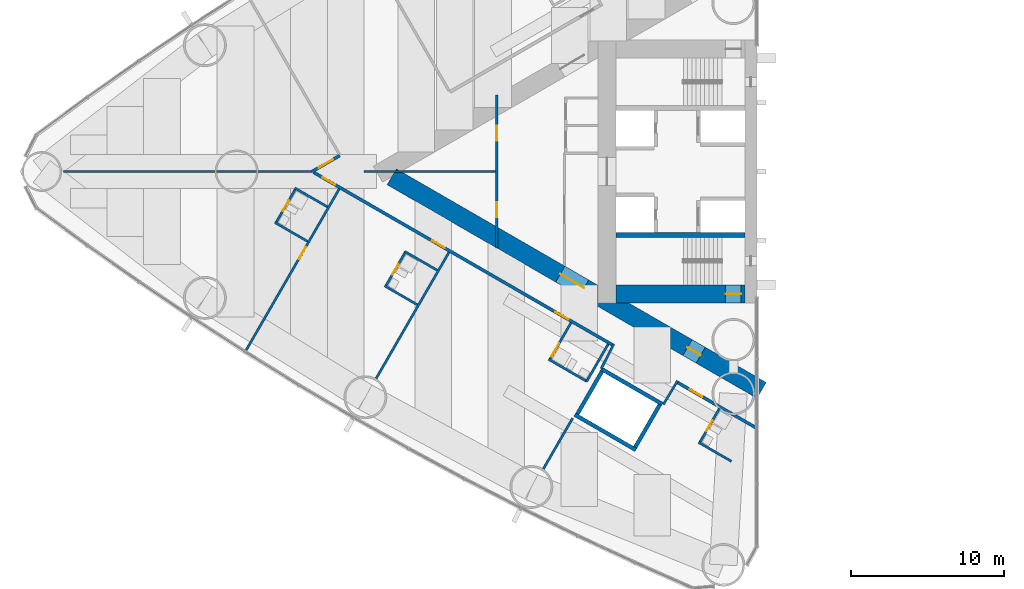
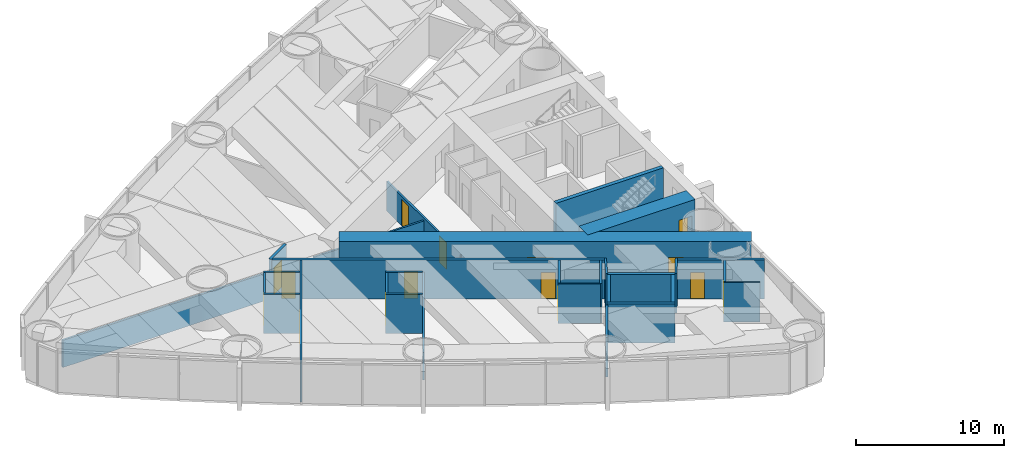
# One storey, part 11 of 19: 29 walls, 15 doors, 15 openings.
"""IFC4 building model written with IfcOpenShell, lengths in metres."""

from ifc_helpers import new_model, si_unit, direction, frame, frame_2d, origin, place, context, subcontext, project, spatial, rectangle, extrude, material, layer, layer_set, type_object, element, fill, save


model = new_model("IFC4")

# Units and contexts
model_context = context("Model", 3, precision=1e-05, world=origin(), true_north=direction((0.0, 1.0)))
body_context = subcontext(model_context, "Body", "Model", "MODEL_VIEW")
ifc_project = project(units=[si_unit("LENGTHUNIT", "METRE"), si_unit("AREAUNIT", "SQUARE_METRE"), si_unit("VOLUMEUNIT", "CUBIC_METRE"), si_unit("PLANEANGLEUNIT", "RADIAN"), si_unit("MASSUNIT", "GRAM", prefix="KILO")], contexts=[model_context])

# Site, building, storey
site_placement = place(None, origin())
site = spatial("IfcSite", under=ifc_project, at=site_placement, CompositionType="ELEMENT")
building_placement = place(site_placement, origin())
building = spatial("IfcBuilding", under=site, at=building_placement, Name="Lancet Gate Hotel", CompositionType="ELEMENT")
storey_placement = place(building_placement, frame((0.0, 0.0, 70.5)))
storey = spatial("IfcBuildingStorey", under=building, at=storey_placement, Name="L18", CompositionType="ELEMENT", Elevation=70.5)

# Wall
ifc_material_1 = material(Name="Moisture resistant board partition")
ifc_layer_1 = layer(ifc_material_1, 0.14990234375)
ifc_layer_set_1 = layer_set([ifc_layer_1], Name="Bathroom wall 150")
wall_type_1 = type_object("IfcWallType", Name="Bathroom wall 150", PredefinedType="PARTITIONING", material=ifc_layer_set_1)
wall_1_placement = place(storey_placement, frame((-56.861083984375, -4.565185546875, 0.0), z_axis=(0.0, 0.0, 1.0), x_axis=(-0.86604923931, 0.499958713387, 0.0)))
element("IfcWall", 1, at=wall_1_placement, inside=storey, type_object=wall_type_1, Name="T1 bathroom wall 150 L18", PredefinedType="PARTITIONING", context=body_context, shape_type="SweptSolid", body=[
    extrude(rectangle(XDim=2.474853515625, YDim=0.14990234375, at=frame_2d((1.2373046875, 0.0))), origin(), (0.0, 0.0, 1.0), 3.25),
])

# Wall, opening, door
wall_2_placement = place(storey_placement, frame((-57.639404296875, -1.113525390625, 0.0), z_axis=(0.0, 0.0, 1.0), x_axis=(-0.500006934395, -0.866021400173, 0.0)))
wall_2 = element("IfcWall", 2, at=wall_2_placement, inside=storey, type_object=wall_type_1, Name="T1 bathroom wall 150 L18", PredefinedType="PARTITIONING", context=body_context, shape_type="SweptSolid", body=[
    extrude(rectangle(XDim=2.60009765625, YDim=0.14990234375, at=frame_2d((1.300048828125, 0.0))), origin(), (0.0, 0.0, 1.0), 3.25),
])
opening_1_placement = place(wall_2_placement, frame((0.89990234375, 0.0, 0.0)))
opening_1 = element("IfcOpeningElement", 3, at=opening_1_placement, cuts=wall_2, Name="Opening 1805-B", PredefinedType="OPENING", context=body_context, shape_type="SweptSolid", body=[
    extrude(rectangle(XDim=0.800048828125, YDim=2.199951171875, at=frame_2d((0.39990234375, 1.10009765625))), frame((0.0, 0.0849609375, 0.0), z_axis=(0.0, -1.0, 0.0), x_axis=(1.0, 0.0, 0.0)), (0.0, 0.0, 1.0), 0.169921875),
])
ifc_material_2 = material(Name="Timber door set", Category="wood")
door_type_1 = type_object("IfcDoorType", Name="Bathroom door 800", OperationType="SINGLE_SWING_RIGHT", PredefinedType="DOOR", material=ifc_material_2)
door_1_placement = place(opening_1_placement, origin())
door_1 = element("IfcDoor", 4, at=door_1_placement, inside=storey, type_object=door_type_1, Name="1805-B", OperationType="SINGLE_SWING_RIGHT", OverallHeight=2.199951171875, OverallWidth=0.800048828125, PredefinedType="DOOR", context=body_context, shape_type="SweptSolid", body=[
    extrude(rectangle(XDim=0.800048828125, YDim=2.199951171875, at=frame_2d((0.39990234375, 1.10009765625))), frame((0.0, 0.02490234375, 0.0), z_axis=(0.0, -1.0, 0.0), x_axis=(1.0, 0.0, 0.0)), (0.0, 0.0, 1.0), 0.050048828125),
])
fill(opening_1, door_1)

# Walls
wall_3_placement = place(storey_placement, frame((-55.56103515625, -2.3134765625, 0.0), z_axis=(0.0, 0.0, 1.0), x_axis=(-0.86604923931, 0.499958713387, 0.0)))
element("IfcWall", 5, at=wall_3_placement, inside=storey, type_object=wall_type_1, Name="T1 bathroom wall 150 L18", PredefinedType="PARTITIONING", context=body_context, shape_type="SweptSolid", body=[
    extrude(rectangle(XDim=2.474853515625, YDim=0.14990234375, at=frame_2d((1.2373046875, 0.0))), origin(), (0.0, 0.0, 1.0), 3.25),
])
wall_4_placement = place(storey_placement, frame((-49.691650390625, -8.704345703125, 0.0), z_axis=(0.0, 0.0, 1.0), x_axis=(-0.866073894602, 0.499916002032, 0.0)))
element("IfcWall", 6, at=wall_4_placement, inside=storey, type_object=wall_type_1, Name="T1 bathroom wall 150 L18", PredefinedType="PARTITIONING", context=body_context, shape_type="SweptSolid", body=[
    extrude(rectangle(XDim=2.47509765625, YDim=0.14990234375, at=frame_2d((1.237548828125, 0.0))), origin(), (0.0, 0.0, 1.0), 3.25),
])

# Wall, opening, door
wall_5_placement = place(storey_placement, frame((-50.47021484375, -5.252685546875, 0.0), z_axis=(0.0, 0.0, 1.0), x_axis=(-0.500006934395, -0.866021400173, 0.0)))
wall_5 = element("IfcWall", 7, at=wall_5_placement, inside=storey, type_object=wall_type_1, Name="T1 bathroom wall 150 L18", PredefinedType="PARTITIONING", context=body_context, shape_type="SweptSolid", body=[
    extrude(rectangle(XDim=2.60009765625, YDim=0.14990234375, at=frame_2d((1.300048828125, 0.0))), origin(), (0.0, 0.0, 1.0), 3.25),
])
opening_2_placement = place(wall_5_placement, frame((0.89990234375, 0.0, 0.0)))
opening_2 = element("IfcOpeningElement", 8, at=opening_2_placement, cuts=wall_5, Name="Opening 1806-B", PredefinedType="OPENING", context=body_context, shape_type="SweptSolid", body=[
    extrude(rectangle(XDim=0.800048828125, YDim=2.199951171875, at=frame_2d((0.39990234375, 1.10009765625))), frame((0.0, 0.0849609375, 0.0), z_axis=(0.0, -1.0, 0.0), x_axis=(1.0, 0.0, 0.0)), (0.0, 0.0, 1.0), 0.169921875),
])
door_2_placement = place(opening_2_placement, origin())
door_2 = element("IfcDoor", 9, at=door_2_placement, inside=storey, type_object=door_type_1, Name="1806-B", OperationType="SINGLE_SWING_RIGHT", OverallHeight=2.199951171875, OverallWidth=0.800048828125, PredefinedType="DOOR", context=body_context, shape_type="SweptSolid", body=[
    extrude(rectangle(XDim=0.800048828125, YDim=2.199951171875, at=frame_2d((0.39990234375, 1.10009765625))), frame((0.0, 0.02490234375, 0.0), z_axis=(0.0, -1.0, 0.0), x_axis=(1.0, 0.0, 0.0)), (0.0, 0.0, 1.0), 0.050048828125),
])
fill(opening_2, door_2)

# Walls
wall_6_placement = place(storey_placement, frame((-48.391845703125, -6.45263671875, 0.0), z_axis=(0.0, 0.0, 1.0), x_axis=(-0.86604923931, 0.499958713387, 0.0)))
element("IfcWall", 10, at=wall_6_placement, inside=storey, type_object=wall_type_1, Name="T1 bathroom wall 150 L18", PredefinedType="PARTITIONING", context=body_context, shape_type="SweptSolid", body=[
    extrude(rectangle(XDim=2.474853515625, YDim=0.14990234375, at=frame_2d((1.2373046875, 0.0))), origin(), (0.0, 0.0, 1.0), 3.25),
])
wall_7_placement = place(storey_placement, frame((-38.630126953125, -13.705322265625, 0.0), z_axis=(0.0, 0.0, 1.0), x_axis=(-0.866018712932, 0.500011588718, 0.0)))
element("IfcWall", 11, at=wall_7_placement, inside=storey, type_object=wall_type_1, Name="T1 bathroom wall 150 L18", PredefinedType="PARTITIONING", context=body_context, shape_type="SweptSolid", body=[
    extrude(rectangle(XDim=2.875, YDim=0.14990234375, at=frame_2d((1.4375, 0.0))), origin(), (0.0, 0.0, 1.0), 3.25),
])

# Wall, opening, door
wall_8_placement = place(storey_placement, frame((-39.65478515625, -9.88037109375, 0.0), z_axis=(0.0, 0.0, 1.0), x_axis=(-0.500049511043, -0.865996816683, 0.0)))
wall_8 = element("IfcWall", 12, at=wall_8_placement, inside=storey, type_object=wall_type_1, Name="T1 bathroom wall 150 L18", PredefinedType="PARTITIONING", context=body_context, shape_type="SweptSolid", body=[
    extrude(rectangle(XDim=2.800048828125, YDim=0.14990234375, at=frame_2d((1.39990234375, 0.0))), origin(), (0.0, 0.0, 1.0), 3.25),
])
opening_3_placement = place(wall_8_placement, frame((1.550048828125, 0.0, 0.0)))
opening_3 = element("IfcOpeningElement", 13, at=opening_3_placement, cuts=wall_8, Name="Opening 1807-B", PredefinedType="OPENING", context=body_context, shape_type="SweptSolid", body=[
    extrude(rectangle(XDim=1.0, YDim=2.199951171875, at=frame_2d((0.5, 1.10009765625))), frame((0.0, 0.0849609375, 0.0), z_axis=(0.0, -1.0, 0.0), x_axis=(1.0, 0.0, 0.0)), (0.0, 0.0, 1.0), 0.169921875),
])
ifc_material_3 = material(Name="Timber door set", Category="wood")
door_type_2 = type_object("IfcDoorType", Name="Accessible en-suite door 1000", OperationType="SINGLE_SWING_RIGHT", PredefinedType="DOOR", material=ifc_material_3)
door_3_placement = place(opening_3_placement, origin())
door_3 = element("IfcDoor", 14, at=door_3_placement, inside=storey, type_object=door_type_2, Name="1807-B", OperationType="SINGLE_SWING_RIGHT", OverallHeight=2.199951171875, OverallWidth=1.0, PredefinedType="DOOR", context=body_context, shape_type="SweptSolid", body=[
    extrude(rectangle(XDim=1.0, YDim=2.199951171875, at=frame_2d((0.5, 1.10009765625))), frame((0.0, 0.02490234375, 0.0), z_axis=(0.0, -1.0, 0.0), x_axis=(1.0, 0.0, 0.0)), (0.0, 0.0, 1.0), 0.050048828125),
])
fill(opening_3, door_3)

# Walls
wall_9_placement = place(storey_placement, frame((-37.22998046875, -11.280517578125, 0.0), z_axis=(0.0, 0.0, 1.0), x_axis=(-0.500049511043, -0.865996816683, 0.0)))
element("IfcWall", 15, at=wall_9_placement, inside=storey, type_object=wall_type_1, Name="T1 bathroom wall 150 L18", PredefinedType="PARTITIONING", context=body_context, shape_type="SweptSolid", body=[
    extrude(rectangle(XDim=2.800048828125, YDim=0.14990234375, at=frame_2d((1.39990234375, 0.0))), origin(), (0.0, 0.0, 1.0), 3.25),
])
wall_10_placement = place(storey_placement, frame((-29.181884765625, -18.92919921875, 0.0), z_axis=(0.0, 0.0, 1.0), x_axis=(-0.866006523861, 0.500032699561, 0.0)))
element("IfcWall", 16, at=wall_10_placement, inside=storey, type_object=wall_type_1, Name="T1 bathroom wall 150 L18", PredefinedType="PARTITIONING", context=body_context, shape_type="SweptSolid", body=[
    extrude(rectangle(XDim=2.474853515625, YDim=0.14990234375, at=frame_2d((1.2373046875, 0.0))), origin(), (0.0, 0.0, 1.0), 3.25),
])

# Wall, opening, door
wall_11_placement = place(storey_placement, frame((-29.960205078125, -15.4775390625, 0.0), z_axis=(0.0, 0.0, 1.0), x_axis=(-0.500006934395, -0.866021400173, 0.0)))
wall_11 = element("IfcWall", 17, at=wall_11_placement, inside=storey, type_object=wall_type_1, Name="T1 bathroom wall 150 L18", PredefinedType="PARTITIONING", context=body_context, shape_type="SweptSolid", body=[
    extrude(rectangle(XDim=2.60009765625, YDim=0.14990234375, at=frame_2d((1.300048828125, 0.0))), origin(), (0.0, 0.0, 1.0), 3.25),
])
opening_4_placement = place(wall_11_placement, frame((0.89990234375, 0.0, 0.0)))
opening_4 = element("IfcOpeningElement", 18, at=opening_4_placement, cuts=wall_11, Name="Opening 1808-B", PredefinedType="OPENING", context=body_context, shape_type="SweptSolid", body=[
    extrude(rectangle(XDim=0.800048828125, YDim=2.199951171875, at=frame_2d((0.39990234375, 1.10009765625))), frame((0.0, 0.0849609375, 0.0), z_axis=(0.0, -1.0, 0.0), x_axis=(1.0, 0.0, 0.0)), (0.0, 0.0, 1.0), 0.169921875),
])
door_4_placement = place(opening_4_placement, origin())
door_4 = element("IfcDoor", 19, at=door_4_placement, inside=storey, type_object=door_type_1, Name="1808-B", OperationType="SINGLE_SWING_RIGHT", OverallHeight=2.199951171875, OverallWidth=0.800048828125, PredefinedType="DOOR", context=body_context, shape_type="SweptSolid", body=[
    extrude(rectangle(XDim=0.800048828125, YDim=2.199951171875, at=frame_2d((0.39990234375, 1.10009765625))), frame((0.0, 0.02490234375, 0.0), z_axis=(0.0, -1.0, 0.0), x_axis=(1.0, 0.0, 0.0)), (0.0, 0.0, 1.0), 0.050048828125),
])
fill(opening_4, door_4)

# Wall, openings, doors
ifc_material_4 = material(Name="Concrete C70/85", Category="concrete")
ifc_layer_2 = layer(ifc_material_4, 1.199951171875)
ifc_layer_set_2 = layer_set([ifc_layer_2], Name="Buttress wall 1200")
wall_type_2 = type_object("IfcWallType", Name="Buttress wall 1200", PredefinedType="SHEAR", material=ifc_layer_set_2)
wall_12_placement = place(storey_placement, frame((-27.199951171875, -14.300048828125, 0.0), z_axis=(0.0, 0.0, 1.0), x_axis=(-0.866024021859, 0.500002393557, 0.0)))
wall_12 = element("IfcWall", 20, at=wall_12_placement, inside=storey, type_object=wall_type_2, Name="T1 buttress wall N L18", PredefinedType="SHEAR", context=body_context, shape_type="SweptSolid", body=[
    extrude(rectangle(XDim=27.906982421875, YDim=1.199951171875, at=frame_2d((13.95361328125, 0.0))), origin(), (0.0, 0.0, 1.0), 3.5),
])
opening_5_placement = place(wall_12_placement, frame((4.60009765625, 0.0, 0.0)))
opening_5 = element("IfcOpeningElement", 21, at=opening_5_placement, cuts=wall_12, Name="Opening T1-L18-LN", PredefinedType="OPENING", context=body_context, shape_type="SweptSolid", body=[
    extrude(rectangle(XDim=1.0, YDim=2.199951171875, at=frame_2d((0.5, 1.10009765625))), frame((0.0, 0.60986328125, 0.0), z_axis=(0.0, -1.0, 0.0), x_axis=(1.0, 0.0, 0.0)), (0.0, 0.0, 1.0), 1.219970703125),
])
opening_6_placement = place(wall_12_placement, frame((13.39453125, 0.0, 0.0)))
opening_6 = element("IfcOpeningElement", 22, at=opening_6_placement, cuts=wall_12, Name="Opening T1-L18-LHN", PredefinedType="OPENING", context=body_context, shape_type="SweptSolid", body=[
    extrude(rectangle(XDim=1.800048828125, YDim=2.199951171875, at=frame_2d((0.89990234375, 1.10009765625))), frame((0.0, 0.60986328125, 0.0), z_axis=(0.0, -1.0, 0.0), x_axis=(1.0, 0.0, 0.0)), (0.0, 0.0, 1.0), 1.219970703125),
])
ifc_material_5 = material(Name="Timber door set", Category="wood")
door_type_3 = type_object("IfcDoorType", Name="Lobby double door 1800", OperationType="DOUBLE_DOOR_SINGLE_SWING", PredefinedType="DOOR", material=ifc_material_5)
door_5_placement = place(opening_6_placement, origin())
door_5 = element("IfcDoor", 23, at=door_5_placement, inside=storey, type_object=door_type_3, Name="T1-L18-LHN", OperationType="DOUBLE_DOOR_SINGLE_SWING", OverallHeight=2.199951171875, OverallWidth=1.800048828125, PredefinedType="DOOR", context=body_context, shape_type="SweptSolid", body=[
    extrude(rectangle(XDim=1.800048828125, YDim=2.199951171875, at=frame_2d((0.89990234375, 1.10009765625))), frame((0.0, 0.02490234375, 0.0), z_axis=(0.0, -1.0, 0.0), x_axis=(1.0, 0.0, 0.0)), (0.0, 0.0, 1.0), 0.050048828125),
])
fill(opening_6, door_5)
ifc_material_6 = material(Name="Timber door set", Category="wood")
door_type_4 = type_object("IfcDoorType", Name="Stair lobby door 1000", OperationType="SINGLE_SWING_LEFT", PredefinedType="DOOR", material=ifc_material_6)
door_6_placement = place(opening_5_placement, origin())
door_6 = element("IfcDoor", 24, at=door_6_placement, inside=storey, type_object=door_type_4, Name="T1-L18-LN", OperationType="SINGLE_SWING_LEFT", OverallHeight=2.199951171875, OverallWidth=1.0, PredefinedType="DOOR", context=body_context, shape_type="SweptSolid", body=[
    extrude(rectangle(XDim=1.0, YDim=2.199951171875, at=frame_2d((0.5, 1.10009765625))), frame((0.0, 0.02490234375, 0.0), z_axis=(0.0, -1.0, 0.0), x_axis=(1.0, 0.0, 0.0)), (0.0, 0.0, 1.0), 0.050048828125),
])
fill(opening_5, door_6)

# Wall, opening, door
ifc_material_7 = material(Name="Concrete C70/85", Category="concrete")
ifc_layer_3 = layer(ifc_material_7, 1.199951171875)
ifc_layer_set_3 = layer_set([ifc_layer_3], Name="Core wall 1200")
wall_type_3 = type_object("IfcWallType", Name="Core wall 1200", PredefinedType="SHEAR", material=ifc_layer_set_3)
wall_13_placement = place(storey_placement, frame((-28.300048828125, -8.0, 0.0), z_axis=(0.0, 0.0, 1.0), x_axis=(-1.0, 0.0, 0.0)))
wall_13 = element("IfcWall", 25, at=wall_13_placement, inside=storey, type_object=wall_type_3, Name="T1 core wall side-N L18", PredefinedType="SHEAR", context=body_context, shape_type="SweptSolid", body=[
    extrude(rectangle(XDim=8.39990234375, YDim=1.199951171875, at=frame_2d((4.199951171875, 0.0))), origin(), (0.0, 0.0, 1.0), 3.5),
])
opening_7_placement = place(wall_13_placement, frame((0.25, 0.0, 0.0)))
opening_7 = element("IfcOpeningElement", 26, at=opening_7_placement, cuts=wall_13, Name="Opening T1-L18-ST2", PredefinedType="OPENING", context=body_context, shape_type="SweptSolid", body=[
    extrude(rectangle(XDim=1.0, YDim=2.199951171875, at=frame_2d((0.5, 1.10009765625))), frame((0.0, 0.60986328125, 0.0), z_axis=(0.0, -1.0, 0.0), x_axis=(1.0, 0.0, 0.0)), (0.0, 0.0, 1.0), 1.219970703125),
])
ifc_material_8 = material(Name="Timber door set", Category="wood")
door_type_5 = type_object("IfcDoorType", Name="Stair door 1000", OperationType="SINGLE_SWING_RIGHT", PredefinedType="DOOR", material=ifc_material_8)
door_7_placement = place(opening_7_placement, origin())
door_7 = element("IfcDoor", 27, at=door_7_placement, inside=storey, type_object=door_type_5, Name="T1-L18-ST2", OperationType="SINGLE_SWING_RIGHT", OverallHeight=2.199951171875, OverallWidth=1.0, PredefinedType="DOOR", context=body_context, shape_type="SweptSolid", body=[
    extrude(rectangle(XDim=1.0, YDim=2.199951171875, at=frame_2d((0.5, 1.10009765625))), frame((0.0, 0.02490234375, 0.0), z_axis=(0.0, -1.0, 0.0), x_axis=(1.0, 0.0, 0.0)), (0.0, 0.0, 1.0), 0.050048828125),
])
fill(opening_7, door_7)

ifc_material_9 = material(Name="Gypsum board partition")
ifc_layer_4 = layer(ifc_material_9, 0.199951171875)
ifc_layer_set_4 = layer_set([ifc_layer_4], Name="Corridor wall 200")
wall_type_4 = type_object("IfcWallType", Name="Corridor wall 200", PredefinedType="PARTITIONING", material=ifc_layer_set_4)
wall_14_placement = place(storey_placement, frame((-27.572021484375, -16.740966796875, 0.0), z_axis=(0.0, 0.0, 1.0), x_axis=(-0.866024464444, 0.500001626982, 0.0)))
wall_14 = element("IfcWall", 28, at=wall_14_placement, inside=storey, type_object=wall_type_4, Name="T1 corridor wall 200 L18", PredefinedType="PARTITIONING", context=body_context, shape_type="SweptSolid", body=[
    extrude(rectangle(XDim=5.955078125, YDim=0.199951171875, at=frame_2d((2.9775390625, 0.0))), origin(), (0.0, 0.0, 1.0), 3.25),
])
opening_8_placement = place(wall_14_placement, frame((4.050048828125, 0.0, 0.0)))
opening_8 = element("IfcOpeningElement", 29, at=opening_8_placement, cuts=wall_14, Name="Opening 1808-E", PredefinedType="OPENING", context=body_context, shape_type="SweptSolid", body=[
    extrude(rectangle(XDim=0.949951171875, YDim=2.199951171875, at=frame_2d((0.47509765625, 1.10009765625))), frame((0.0, 0.10986328125, 0.0), z_axis=(0.0, -1.0, 0.0), x_axis=(1.0, 0.0, 0.0)), (0.0, 0.0, 1.0), 0.219970703125),
])
ifc_material_10 = material(Name="Timber door set", Category="wood")
door_type_6 = type_object("IfcDoorType", Name="Guest room entry door 950", OperationType="SINGLE_SWING_LEFT", PredefinedType="DOOR", material=ifc_material_10)
door_8_placement = place(opening_8_placement, origin())
door_8 = element("IfcDoor", 30, at=door_8_placement, inside=storey, type_object=door_type_6, Name="1808-E", OperationType="SINGLE_SWING_LEFT", OverallHeight=2.199951171875, OverallWidth=0.949951171875, PredefinedType="DOOR", context=body_context, shape_type="SweptSolid", body=[
    extrude(rectangle(XDim=0.949951171875, YDim=2.199951171875, at=frame_2d((0.47509765625, 1.10009765625))), frame((0.0, 0.02490234375, 0.0), z_axis=(0.0, -1.0, 0.0), x_axis=(1.0, 0.0, 0.0)), (0.0, 0.0, 1.0), 0.050048828125),
])
fill(opening_8, door_8)

# Wall, openings, doors
wall_15_placement = place(storey_placement, frame((-36.920166015625, -11.34375, 0.0), z_axis=(0.0, 0.0, 1.0), x_axis=(-0.866028313256, 0.499994960614, 0.0)))
wall_15 = element("IfcWall", 31, at=wall_15_placement, inside=storey, type_object=wall_type_4, Name="T1 corridor wall 200 L18", PredefinedType="PARTITIONING", context=body_context, shape_type="SweptSolid", body=[
    extrude(rectangle(XDim=22.567626953125, YDim=0.199951171875, at=frame_2d((11.28369140625, 0.0))), origin(), (0.0, 0.0, 1.0), 3.25),
])
opening_9_placement = place(wall_15_placement, frame((20.95849609375, 0.0, 0.0)))
opening_9 = element("IfcOpeningElement", 32, at=opening_9_placement, cuts=wall_15, Name="Opening 1805-E", PredefinedType="OPENING", context=body_context, shape_type="SweptSolid", body=[
    extrude(rectangle(XDim=0.949951171875, YDim=2.199951171875, at=frame_2d((0.47509765625, 1.10009765625))), frame((0.0, 0.10986328125, 0.0), z_axis=(0.0, -1.0, 0.0), x_axis=(1.0, 0.0, 0.0)), (0.0, 0.0, 1.0), 0.219970703125),
])
opening_10_placement = place(wall_15_placement, frame((12.68017578125, 0.0, 0.0)))
opening_10 = element("IfcOpeningElement", 33, at=opening_10_placement, cuts=wall_15, Name="Opening 1806-E", PredefinedType="OPENING", context=body_context, shape_type="SweptSolid", body=[
    extrude(rectangle(XDim=0.949951171875, YDim=2.199951171875, at=frame_2d((0.47509765625, 1.10009765625))), frame((0.0, 0.10986328125, 0.0), z_axis=(0.0, -1.0, 0.0), x_axis=(1.0, 0.0, 0.0)), (0.0, 0.0, 1.0), 0.219970703125),
])
opening_11_placement = place(wall_15_placement, frame((3.35009765625, 0.0, 0.0)))
opening_11 = element("IfcOpeningElement", 34, at=opening_11_placement, cuts=wall_15, Name="Opening 1807-E", PredefinedType="OPENING", context=body_context, shape_type="SweptSolid", body=[
    extrude(rectangle(XDim=1.0, YDim=2.199951171875, at=frame_2d((0.5, 1.10009765625))), frame((0.0, 0.10986328125, 0.0), z_axis=(0.0, -1.0, 0.0), x_axis=(1.0, 0.0, 0.0)), (0.0, 0.0, 1.0), 0.219970703125),
])
ifc_material_11 = material(Name="Timber door set", Category="wood")
door_type_7 = type_object("IfcDoorType", Name="Accessible guest room door 1000", OperationType="SINGLE_SWING_LEFT", PredefinedType="DOOR", material=ifc_material_11)
door_9_placement = place(opening_11_placement, origin())
door_9 = element("IfcDoor", 35, at=door_9_placement, inside=storey, type_object=door_type_7, Name="1807-E", OperationType="SINGLE_SWING_LEFT", OverallHeight=2.199951171875, OverallWidth=1.0, PredefinedType="DOOR", context=body_context, shape_type="SweptSolid", body=[
    extrude(rectangle(XDim=1.0, YDim=2.199951171875, at=frame_2d((0.5, 1.10009765625))), frame((0.0, 0.02490234375, 0.0), z_axis=(0.0, -1.0, 0.0), x_axis=(1.0, 0.0, 0.0)), (0.0, 0.0, 1.0), 0.050048828125),
])
fill(opening_11, door_9)
door_10_placement = place(opening_9_placement, origin())
door_10 = element("IfcDoor", 36, at=door_10_placement, inside=storey, type_object=door_type_6, Name="1805-E", OperationType="SINGLE_SWING_LEFT", OverallHeight=2.199951171875, OverallWidth=0.949951171875, PredefinedType="DOOR", context=body_context, shape_type="SweptSolid", body=[
    extrude(rectangle(XDim=0.949951171875, YDim=2.199951171875, at=frame_2d((0.47509765625, 1.10009765625))), frame((0.0, 0.02490234375, 0.0), z_axis=(0.0, -1.0, 0.0), x_axis=(1.0, 0.0, 0.0)), (0.0, 0.0, 1.0), 0.050048828125),
])
fill(opening_9, door_10)
door_11_placement = place(opening_10_placement, origin())
door_11 = element("IfcDoor", 37, at=door_11_placement, inside=storey, type_object=door_type_6, Name="1806-E", OperationType="SINGLE_SWING_LEFT", OverallHeight=2.199951171875, OverallWidth=0.949951171875, PredefinedType="DOOR", context=body_context, shape_type="SweptSolid", body=[
    extrude(rectangle(XDim=0.949951171875, YDim=2.199951171875, at=frame_2d((0.47509765625, 1.10009765625))), frame((0.0, 0.02490234375, 0.0), z_axis=(0.0, -1.0, 0.0), x_axis=(1.0, 0.0, 0.0)), (0.0, 0.0, 1.0), 0.050048828125),
])
fill(opening_10, door_11)

# Wall, opening, door
wall_16_placement = place(storey_placement, frame((-54.767578125, 1.03955078125, 0.0), z_axis=(0.0, 0.0, 1.0), x_axis=(-0.866052632827, -0.499952834948, 0.0)))
wall_16 = element("IfcWall", 38, at=wall_16_placement, inside=storey, type_object=wall_type_4, Name="T1 corridor wall 200 L18", PredefinedType="PARTITIONING", context=body_context, shape_type="SweptSolid", body=[
    extrude(rectangle(XDim=2.079345703125, YDim=0.199951171875, at=frame_2d((1.03955078125, 0.0))), origin(), (0.0, 0.0, 1.0), 3.25),
])
opening_12_placement = place(wall_16_placement, frame((0.5, 0.0, 0.0)))
opening_12 = element("IfcOpeningElement", 39, at=opening_12_placement, cuts=wall_16, Name="Opening 1804-E", PredefinedType="OPENING", context=body_context, shape_type="SweptSolid", body=[
    extrude(rectangle(XDim=1.0791015625, YDim=2.199951171875, at=frame_2d((0.53955078125, 1.10009765625))), frame((0.0, 0.10986328125, 0.0), z_axis=(0.0, -1.0, 0.0), x_axis=(1.0, 0.0, 0.0)), (0.0, 0.0, 1.0), 0.219970703125),
])
door_12_placement = place(opening_12_placement, origin())
door_12 = element("IfcDoor", 40, at=door_12_placement, inside=storey, type_object=door_type_6, Name="1804-E", OperationType="SINGLE_SWING_LEFT", OverallHeight=2.199951171875, OverallWidth=1.0791015625, PredefinedType="DOOR", context=body_context, shape_type="SweptSolid", body=[
    extrude(rectangle(XDim=1.0791015625, YDim=2.199951171875, at=frame_2d((0.53955078125, 1.10009765625))), frame((0.0, 0.02490234375, 0.0), z_axis=(0.0, -1.0, 0.0), x_axis=(1.0, 0.0, 0.0)), (0.0, 0.0, 1.0), 0.050048828125),
])
fill(opening_12, door_12)

# Walls
ifc_material_12 = material(Name="Gypsum board partition")
ifc_layer_5 = layer(ifc_material_12, 0.25)
ifc_layer_set_5 = layer_set([ifc_layer_5], Name="Lift shaft partition 250")
wall_type_5 = type_object("IfcWallType", Name="Lift shaft partition 250", PredefinedType="PARTITIONING", material=ifc_layer_set_5)
wall_17_placement = place(storey_placement, frame((-33.695556640625, -15.197265625, 0.0), z_axis=(0.0, 0.0, 1.0), x_axis=(-0.865976953817, 0.500083908417, 0.0)))
element("IfcWall", 41, at=wall_17_placement, inside=storey, type_object=wall_type_5, Name="T1 lift shaft wall EX L18", PredefinedType="PARTITIONING", context=body_context, shape_type="SweptSolid", body=[
    extrude(rectangle(XDim=4.599365234375, YDim=0.25, at=frame_2d((2.2998046875, 0.0))), origin(), (0.0, 0.0, 1.0), 3.25),
])
wall_18_placement = place(storey_placement, frame((-35.42041015625, -18.185791015625, 0.0), z_axis=(0.0, 0.0, 1.0), x_axis=(-0.865990227814, 0.50006092162, 0.0)))
element("IfcWall", 42, at=wall_18_placement, inside=storey, type_object=wall_type_5, Name="T1 lift shaft wall EX L18", PredefinedType="PARTITIONING", context=body_context, shape_type="SweptSolid", body=[
    extrude(rectangle(XDim=4.599609375, YDim=0.25, at=frame_2d((2.2998046875, 0.0))), origin(), (0.0, 0.0, 1.0), 3.25),
])
wall_19_placement = place(storey_placement, frame((-33.8662109375, -15.242919921875, 0.0), z_axis=(0.0, 0.0, 1.0), x_axis=(-0.499929347863, -0.866066190972, 0.0)))
element("IfcWall", 43, at=wall_19_placement, inside=storey, type_object=wall_type_5, Name="T1 lift shaft wall EX L18", PredefinedType="PARTITIONING", context=body_context, shape_type="SweptSolid", body=[
    extrude(rectangle(XDim=3.20068359375, YDim=0.25, at=frame_2d((1.600341796875, 0.0))), origin(), (0.0, 0.0, 1.0), 3.25),
])
wall_20_placement = place(storey_placement, frame((-37.6328125, -13.068115234375, 0.0), z_axis=(0.0, 0.0, 1.0), x_axis=(-0.499872130319, -0.866099216793, 0.0)))
element("IfcWall", 44, at=wall_20_placement, inside=storey, type_object=wall_type_5, Name="T1 lift shaft wall EX L18", PredefinedType="PARTITIONING", context=body_context, shape_type="SweptSolid", body=[
    extrude(rectangle(XDim=3.200439453125, YDim=0.25, at=frame_2d((1.60009765625, 0.0))), origin(), (0.0, 0.0, 1.0), 3.25),
])
ifc_material_13 = material(Name="Gypsum board partition")
ifc_layer_6 = layer(ifc_material_13, 0.14990234375)
ifc_layer_set_6 = layer_set([ifc_layer_6], Name="Party wall 150")
wall_type_6 = type_object("IfcWallType", Name="Party wall 150", PredefinedType="PARTITIONING", material=ifc_layer_set_6)
wall_21_placement = place(storey_placement, frame((-47.626708984375, -5.27783203125, 0.0), z_axis=(0.0, 0.0, 1.0), x_axis=(-0.500009844318, -0.86601972009, 0.0)))
element("IfcWall", 45, at=wall_21_placement, inside=storey, type_object=wall_type_6, Name="T1 party wall 150 L18", PredefinedType="PARTITIONING", context=body_context, shape_type="SweptSolid", body=[
    extrude(rectangle(XDim=9.510498046875, YDim=0.14990234375, at=frame_2d((4.75537109375, 0.0))), origin(), (0.0, 0.0, 1.0), 2.25),
])

# Wall, opening, door
wall_22_placement = place(storey_placement, frame((-54.796142578125, -1.138671875, 0.0), z_axis=(0.0, 0.0, 1.0), x_axis=(-0.499998860433, -0.866026061713, 0.0)))
wall_22 = element("IfcWall", 46, at=wall_22_placement, inside=storey, type_object=wall_type_6, Name="T1 party wall 150 L18", PredefinedType="PARTITIONING", context=body_context, shape_type="SweptSolid", body=[
    extrude(rectangle(XDim=12.15673828125, YDim=0.14990234375, at=frame_2d((6.078369140625, 0.0))), origin(), (0.0, 0.0, 1.0), 3.25),
])
opening_13_placement = place(wall_22_placement, frame((4.375, 0.0, 0.0)))
opening_13 = element("IfcOpeningElement", 47, at=opening_13_placement, cuts=wall_22, Name="Opening 1805C", PredefinedType="OPENING", context=body_context, shape_type="SweptSolid", body=[
    extrude(rectangle(XDim=0.89990234375, YDim=2.199951171875, at=frame_2d((0.449951171875, 1.10009765625))), frame((0.0, 0.0849609375, 0.0), z_axis=(0.0, -1.0, 0.0), x_axis=(1.0, 0.0, 0.0)), (0.0, 0.0, 1.0), 0.169921875),
])
ifc_material_14 = material(Name="Timber door set", Category="wood")
door_type_8 = type_object("IfcDoorType", Name="Connecting door 900", OperationType="SINGLE_SWING_LEFT", PredefinedType="DOOR", material=ifc_material_14)
door_13_placement = place(opening_13_placement, origin())
door_13 = element("IfcDoor", 48, at=door_13_placement, inside=storey, type_object=door_type_8, Name="1805C", OperationType="SINGLE_SWING_LEFT", OverallHeight=2.199951171875, OverallWidth=0.89990234375, PredefinedType="DOOR", context=body_context, shape_type="SweptSolid", body=[
    extrude(rectangle(XDim=0.89990234375, YDim=2.199951171875, at=frame_2d((0.449951171875, 1.10009765625))), frame((0.0, 0.02490234375, 0.0), z_axis=(0.0, -1.0, 0.0), x_axis=(1.0, 0.0, 0.0)), (0.0, 0.0, 1.0), 0.050048828125),
])
fill(opening_13, door_13)

# Walls
wall_23_placement = place(storey_placement, frame((-56.568359375, 0.0, 0.0), z_axis=(0.0, 0.0, 1.0), x_axis=(-1.0, 0.0, 0.0)))
element("IfcWall", 49, at=wall_23_placement, inside=storey, type_object=wall_type_6, Name="T1 party wall 150 L18", PredefinedType="PARTITIONING", context=body_context, shape_type="SweptSolid", body=[
    extrude(rectangle(XDim=16.246826171875, YDim=0.14990234375, at=frame_2d((8.12353515625, 0.0))), origin(), (0.0, 0.0, 1.0), 2.25),
])
wall_24_placement = place(storey_placement, frame((-39.55078125, -16.118408203125, 0.0), z_axis=(0.0, 0.0, 1.0), x_axis=(-0.499986503906, -0.866033195618, 0.0)))
element("IfcWall", 50, at=wall_24_placement, inside=storey, type_object=wall_type_6, Name="T1 party wall 150 L18", PredefinedType="PARTITIONING", context=body_context, shape_type="SweptSolid", body=[
    extrude(rectangle(XDim=3.81494140625, YDim=0.14990234375, at=frame_2d((1.907470703125, 0.0))), origin(), (0.0, 0.0, 1.0), 3.25),
])
ifc_material_15 = material(Name="Gypsum board partition")
ifc_layer_7 = layer(ifc_material_15, 0.14990234375)
ifc_layer_set_7 = layer_set([ifc_layer_7], Name="Service room wall 150")
wall_type_7 = type_object("IfcWallType", Name="Service room wall 150", PredefinedType="PARTITIONING", material=ifc_layer_set_7)
wall_25_placement = place(storey_placement, frame((-36.857177734375, -11.2646484375, 0.0), z_axis=(0.0, 0.0, 1.0), x_axis=(-0.454225294761, -0.890886851176, 0.0)))
element("IfcWall", 51, at=wall_25_placement, inside=storey, type_object=wall_type_7, Name="T1 service room wall 150 L18", PredefinedType="PARTITIONING", context=body_context, shape_type="SweptSolid", body=[
    extrude(rectangle(XDim=1.80712890625, YDim=0.14990234375, at=frame_2d((0.903564453125, 0.0))), origin(), (0.0, 0.0, 1.0), 3.25),
])
wall_26_placement = place(storey_placement, frame((-33.62060546875, -15.217529296875, 0.0), z_axis=(0.0, 0.0, 1.0), x_axis=(0.514336634837, 0.857588377991, 0.0)))
element("IfcWall", 52, at=wall_26_placement, inside=storey, type_object=wall_type_7, Name="T1 service room wall 150 L18", PredefinedType="PARTITIONING", context=body_context, shape_type="SweptSolid", body=[
    extrude(rectangle(XDim=1.80517578125, YDim=0.14990234375, at=frame_2d((0.902587890625, 0.0))), origin(), (0.0, 0.0, 1.0), 3.25),
])

# Wall, openings, doors
wall_27_placement = place(storey_placement, frame((-44.5, 5.004638671875, 0.0), z_axis=(0.0, 0.0, 1.0), x_axis=(0.0, -1.0, 0.0)))
wall_27 = element("IfcWall", 53, at=wall_27_placement, inside=storey, type_object=wall_type_7, Name="T1 service room wall 150 L18", PredefinedType="PARTITIONING", context=body_context, shape_type="SweptSolid", body=[
    extrude(rectangle(XDim=10.00927734375, YDim=0.14990234375, at=frame_2d((5.004638671875, 0.0))), origin(), (0.0, 0.0, 1.0), 2.449951171875),
])
opening_14_placement = place(wall_27_placement, frame((2.002197265625, 0.0, 0.0)))
opening_14 = element("IfcOpeningElement", 54, at=opening_14_placement, cuts=wall_27, Name="Opening T1-L18-SV", PredefinedType="OPENING", context=body_context, shape_type="SweptSolid", body=[
    extrude(rectangle(XDim=1.0, YDim=2.199951171875, at=frame_2d((0.5, 1.10009765625))), frame((0.0, 0.0849609375, 0.0), z_axis=(0.0, -1.0, 0.0), x_axis=(1.0, 0.0, 0.0)), (0.0, 0.0, 1.0), 0.169921875),
])
opening_15_placement = place(wall_27_placement, frame((7.0068359375, 0.0, 0.0)))
opening_15 = element("IfcOpeningElement", 55, at=opening_15_placement, cuts=wall_27, Name="Opening T1-L18-SV2", PredefinedType="OPENING", context=body_context, shape_type="SweptSolid", body=[
    extrude(rectangle(XDim=1.0, YDim=2.199951171875, at=frame_2d((0.5, 1.10009765625))), frame((0.0, 0.0849609375, 0.0), z_axis=(0.0, -1.0, 0.0), x_axis=(1.0, 0.0, 0.0)), (0.0, 0.0, 1.0), 0.169921875),
])
ifc_material_16 = material(Name="Timber door set", Category="wood")
door_type_9 = type_object("IfcDoorType", Name="Service door 1000", OperationType="SINGLE_SWING_LEFT", PredefinedType="DOOR", material=ifc_material_16)
door_14_placement = place(opening_14_placement, origin())
door_14 = element("IfcDoor", 56, at=door_14_placement, inside=storey, type_object=door_type_9, Name="T1-L18-SV", OperationType="SINGLE_SWING_LEFT", OverallHeight=2.199951171875, OverallWidth=1.0, PredefinedType="DOOR", context=body_context, shape_type="SweptSolid", body=[
    extrude(rectangle(XDim=1.0, YDim=2.199951171875, at=frame_2d((0.5, 1.10009765625))), frame((0.0, 0.02490234375, 0.0), z_axis=(0.0, -1.0, 0.0), x_axis=(1.0, 0.0, 0.0)), (0.0, 0.0, 1.0), 0.050048828125),
])
fill(opening_14, door_14)
door_15_placement = place(opening_15_placement, origin())
door_15 = element("IfcDoor", 57, at=door_15_placement, inside=storey, type_object=door_type_9, Name="T1-L18-SV2", OperationType="SINGLE_SWING_LEFT", OverallHeight=2.199951171875, OverallWidth=1.0, PredefinedType="DOOR", context=body_context, shape_type="SweptSolid", body=[
    extrude(rectangle(XDim=1.0, YDim=2.199951171875, at=frame_2d((0.5, 1.10009765625))), frame((0.0, 0.02490234375, 0.0), z_axis=(0.0, -1.0, 0.0), x_axis=(1.0, 0.0, 0.0)), (0.0, 0.0, 1.0), 0.050048828125),
])
fill(opening_15, door_15)

# Walls
wall_28_placement = place(storey_placement, frame((-44.574951171875, 0.0, 0.0), z_axis=(0.0, 0.0, 1.0), x_axis=(-1.0, 0.0, 0.0)))
element("IfcWall", 58, at=wall_28_placement, inside=storey, type_object=wall_type_7, Name="T1 service room wall 150 L18", PredefinedType="PARTITIONING", context=body_context, shape_type="SweptSolid", body=[
    extrude(rectangle(XDim=8.59326171875, YDim=0.14990234375, at=frame_2d((4.296630859375, 0.0))), origin(), (0.0, 0.0, 1.0), 2.25),
])
ifc_material_17 = material(Name="Concrete C50/60", Category="concrete")
ifc_layer_8 = layer(ifc_material_17, 0.300048828125)
ifc_layer_set_8 = layer_set([ifc_layer_8], Name="Stair enclosure wall 300")
wall_type_8 = type_object("IfcWallType", Name="Stair enclosure wall 300", PredefinedType="SHEAR", material=ifc_layer_set_8)
wall_29_placement = place(storey_placement, frame((-28.300048828125, -4.14990234375, 0.0), z_axis=(0.0, 0.0, 1.0), x_axis=(-1.0, 0.0, 0.0)))
element("IfcWall", 59, at=wall_29_placement, inside=storey, type_object=wall_type_8, Name="T1 core wall stair-N L18", PredefinedType="SHEAR", context=body_context, shape_type="SweptSolid", body=[
    extrude(rectangle(XDim=8.39990234375, YDim=0.300048828125, at=frame_2d((4.199951171875, 0.0))), origin(), (0.0, 0.0, 1.0), 3.5),
])

save(model, "model.ifc")
